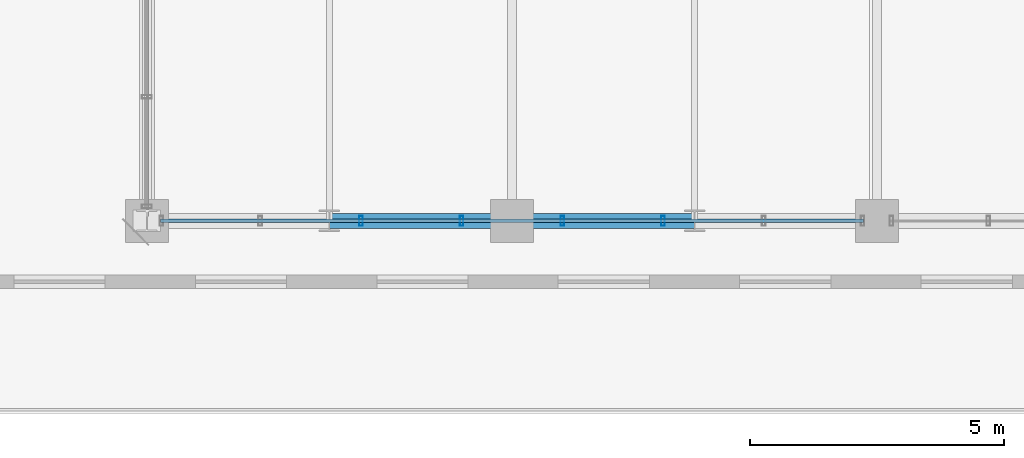
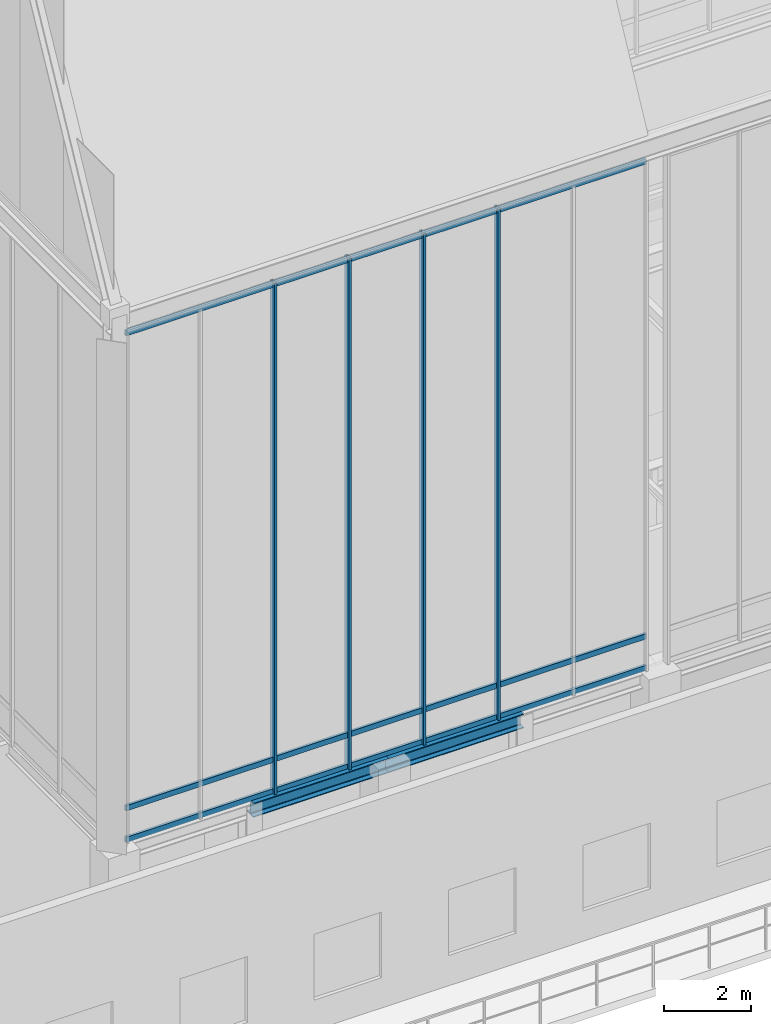
# One storey, part 11 of 49: 7 members, 2 beams, 1 element without a shape of its own.
"""IFC4 building model written with IfcOpenShell, lengths in metres."""

from ifc_helpers import new_model, si_unit, direction, frame, origin, origin_2d, place, context, subcontext, project, spatial, hollow_rectangle, i_section, extrude, source, transform, mapped, material, layer, layer_set, material_profile, profile_set, type_object, element, aggregate, save


model = new_model("IFC4")

# Units and contexts
model_context = context("Model", 3, precision=1e-05, world=origin(), true_north=direction((0.0, 1.0)))
body_context = subcontext(model_context, "Body", "Model", "MODEL_VIEW")
ifc_project = project(units=[si_unit("LENGTHUNIT", "METRE"), si_unit("AREAUNIT", "SQUARE_METRE"), si_unit("VOLUMEUNIT", "CUBIC_METRE"), si_unit("PLANEANGLEUNIT", "RADIAN"), si_unit("MASSUNIT", "GRAM", prefix="KILO")], contexts=[model_context])

# Site, building, storey
site_placement = place(None, origin())
site = spatial("IfcSite", under=ifc_project, at=site_placement, CompositionType="ELEMENT")
building_placement = place(site_placement, origin())
building = spatial("IfcBuilding", under=site, at=building_placement, Name="Kaliganga Portal Commons", CompositionType="ELEMENT")
storey_placement = place(building_placement, frame((0.0, 0.0, 298.0)))
storey = spatial("IfcBuildingStorey", under=building, at=storey_placement, Name="L77", CompositionType="ELEMENT", Elevation=298.0)

# Beams
ifc_material_1 = material(Name="Structural steel S355J2", Category="steel")
ifc_material_profile_1 = material_profile(ifc_material_1, i_section(OverallWidth=0.300048828125, OverallDepth=0.39990234375, WebThickness=0.013427734375, FlangeThickness=0.02392578125, FilletRadius=0.027099609375, at=origin_2d()), Name="HE 400 B")
ifc_profile_set_1 = profile_set([ifc_material_profile_1], Name="Structural steel S355J2 wide-flange")
beam_type = type_object("IfcBeamType", Name="BM-SPAND-400", PredefinedType="SPANDREL", material=ifc_profile_set_1)
shared_shape_1 = source(origin(), body_context, "Body", "SweptSolid", [
    extrude(i_section(OverallWidth=0.300048828125, OverallDepth=0.39990234375, WebThickness=0.013427734375, FlangeThickness=0.02392578125, FilletRadius=0.027099609375, at=origin_2d()), origin(), (0.0, 0.0, 1.0), 3.60009765625),
])
beam_1_placement = place(storey_placement, frame((18.0, 21.60009765625, 5.800048828125), z_axis=(1.0, 0.0, 0.0), x_axis=(0.0, 1.0, 0.0)))
element("IfcBeam", 1, at=beam_1_placement, inside=storey, type_object=beam_type, Name="BM SP L77 AS 2", PredefinedType="SPANDREL", context=body_context, shape_type="MappedRepresentation", body=[
    mapped(shared_shape_1, transform((0.0, 0.0, 0.0), x_axis=(1.0, 0.0, 0.0), y_axis=(0.0, 1.0, 0.0), z_axis=(0.0, 0.0, 1.0), scale=1.0)),
])
shared_shape_2 = source(origin(), body_context, "Body", "SweptSolid", [
    extrude(i_section(OverallWidth=0.300048828125, OverallDepth=0.39990234375, WebThickness=0.013427734375, FlangeThickness=0.02392578125, FilletRadius=0.027099609375, at=origin_2d()), origin(), (0.0, 0.0, 1.0), 3.599853515625),
])
beam_2_placement = place(storey_placement, frame((21.60009765625, 21.60009765625, 5.800048828125), z_axis=(1.0, 0.0, 0.0), x_axis=(0.0, 1.0, 0.0)))
element("IfcBeam", 2, at=beam_2_placement, inside=storey, type_object=beam_type, Name="BM SP L77 AS 3", PredefinedType="SPANDREL", context=body_context, shape_type="MappedRepresentation", body=[
    mapped(shared_shape_2, transform((0.0, 0.0, 0.0), x_axis=(1.0, 0.0, 0.0), y_axis=(0.0, 1.0, 0.0), z_axis=(0.0, 0.0, 1.0), scale=1.0)),
])

# Curtain wall, members
ifc_material_2 = material(Name="Anodized Aluminium and Laminated Low-E Glass", Category="aluminium")
ifc_layer = layer(ifc_material_2, 0.25)
ifc_layer_set = layer_set([ifc_layer], Name="Anodized Aluminium and Laminated Low-E Glass")
curtain_wall_type = type_object("IfcCurtainWallType", Name="CW-SYS-06", PredefinedType="NOTDEFINED", material=ifc_layer_set)
curtain_wall_placement = place(storey_placement, origin())
curtain_wall = element("IfcCurtainWall", 3, at=curtain_wall_placement, inside=storey, type_object=curtain_wall_type, Name="CW 06 L77 SW", PredefinedType="NOTDEFINED")
ifc_material_3 = material(Name="Dark Bronze Anodized Aluminium", Category="aluminium")
ifc_material_profile_2 = material_profile(ifc_material_3, hollow_rectangle(XDim=0.070068359375, YDim=0.199951171875, WallThickness=0.00390625, at=origin_2d()), Name="ALU MULL 70x200x4")
ifc_profile_set_2 = profile_set([ifc_material_profile_2], Name="Dark Bronze Anodized Aluminium")
member_type_1 = type_object("IfcMemberType", Name="CW-MUL-220", PredefinedType="MULLION", material=ifc_profile_set_2)
shared_shape_3 = source(origin(), body_context, "Body", "SweptSolid", [
    extrude(hollow_rectangle(XDim=0.070068359375, YDim=0.199951171875, WallThickness=0.00390625, at=origin_2d()), origin(), (0.0, 0.0, 1.0), 14.39990234375),
])
member_1_placement = place(storey_placement, frame((18.621337890625, 21.60009765625, 6.0), z_axis=(0.0, 0.0, 1.0), x_axis=(1.0, 0.0, 0.0)))
member_1 = element("IfcMember", 4, at=member_1_placement, type_object=member_type_1, Name="CW:06:L77:SW Mullion 02", PredefinedType="MULLION", context=body_context, shape_type="MappedRepresentation", body=[
    mapped(shared_shape_3, transform((0.0, 0.0, 0.0), x_axis=(1.0, 0.0, 0.0), y_axis=(0.0, 1.0, 0.0), z_axis=(0.0, 0.0, 1.0), scale=1.0)),
])
member_2_placement = place(storey_placement, frame((20.607177734375, 21.60009765625, 6.0), z_axis=(0.0, 0.0, 1.0), x_axis=(1.0, 0.0, 0.0)))
member_2 = element("IfcMember", 5, at=member_2_placement, type_object=member_type_1, Name="CW:06:L77:SW Mullion 03", PredefinedType="MULLION", context=body_context, shape_type="MappedRepresentation", body=[
    mapped(shared_shape_3, transform((0.0, 0.0, 0.0), x_axis=(1.0, 0.0, 0.0), y_axis=(0.0, 1.0, 0.0), z_axis=(0.0, 0.0, 1.0), scale=1.0)),
])
member_3_placement = place(storey_placement, frame((22.593017578125, 21.60009765625, 6.0), z_axis=(0.0, 0.0, 1.0), x_axis=(1.0, 0.0, 0.0)))
member_3 = element("IfcMember", 6, at=member_3_placement, type_object=member_type_1, Name="CW:06:L77:SW Mullion 04", PredefinedType="MULLION", context=body_context, shape_type="MappedRepresentation", body=[
    mapped(shared_shape_3, transform((0.0, 0.0, 0.0), x_axis=(1.0, 0.0, 0.0), y_axis=(0.0, 1.0, 0.0), z_axis=(0.0, 0.0, 1.0), scale=1.0)),
])
member_4_placement = place(storey_placement, frame((24.57861328125, 21.60009765625, 6.0), z_axis=(0.0, 0.0, 1.0), x_axis=(1.0, 0.0, 0.0)))
member_4 = element("IfcMember", 7, at=member_4_placement, type_object=member_type_1, Name="CW:06:L77:SW Mullion 05", PredefinedType="MULLION", context=body_context, shape_type="MappedRepresentation", body=[
    mapped(shared_shape_3, transform((0.0, 0.0, 0.0), x_axis=(1.0, 0.0, 0.0), y_axis=(0.0, 1.0, 0.0), z_axis=(0.0, 0.0, 1.0), scale=1.0)),
])
ifc_material_profile_3 = material_profile(ifc_material_3, hollow_rectangle(XDim=0.070068359375, YDim=0.14990234375, WallThickness=0.00341796875, at=origin_2d()), Name="ALU TRAN 70x150x3.5")
ifc_profile_set_3 = profile_set([ifc_material_profile_3], Name="Dark Bronze Anodized Aluminium")
member_type_2 = type_object("IfcMemberType", Name="CW-TRN-150", PredefinedType="USERDEFINED", material=ifc_profile_set_3)
shared_shape_4 = source(origin(), body_context, "Body", "SweptSolid", [
    extrude(hollow_rectangle(XDim=0.070068359375, YDim=0.14990234375, WallThickness=0.00341796875, at=origin_2d()), origin(), (0.0, 0.0, 1.0), 13.860107421875),
])
member_5_placement = place(storey_placement, frame((14.669921875, 21.60009765625, 6.06005859375), z_axis=(1.0, 0.0, 0.0), x_axis=(0.0, 1.0, 0.0)))
member_5 = element("IfcMember", 8, at=member_5_placement, type_object=member_type_2, Name="CW:06:L77:SW Transom 1", ObjectType="TRANSOM", PredefinedType="USERDEFINED", context=body_context, shape_type="MappedRepresentation", body=[
    mapped(shared_shape_4, transform((0.0, 0.0, 0.0), x_axis=(1.0, 0.0, 0.0), y_axis=(0.0, 1.0, 0.0), z_axis=(0.0, 0.0, 1.0), scale=1.0)),
])
member_6_placement = place(storey_placement, frame((14.669921875, 21.60009765625, 6.949951171875), z_axis=(1.0, 0.0, 0.0), x_axis=(0.0, 1.0, 0.0)))
member_6 = element("IfcMember", 9, at=member_6_placement, type_object=member_type_2, Name="CW:06:L77:SW Transom 2", ObjectType="TRANSOM", PredefinedType="USERDEFINED", context=body_context, shape_type="MappedRepresentation", body=[
    mapped(shared_shape_4, transform((0.0, 0.0, 0.0), x_axis=(1.0, 0.0, 0.0), y_axis=(0.0, 1.0, 0.0), z_axis=(0.0, 0.0, 1.0), scale=1.0)),
])
member_7_placement = place(storey_placement, frame((14.669921875, 21.60009765625, 20.320068359375), z_axis=(1.0, 0.0, 0.0), x_axis=(0.0, 1.0, 0.0)))
member_7 = element("IfcMember", 10, at=member_7_placement, type_object=member_type_2, Name="CW:06:L77:SW Transom 3", ObjectType="TRANSOM", PredefinedType="USERDEFINED", context=body_context, shape_type="MappedRepresentation", body=[
    mapped(shared_shape_4, transform((0.0, 0.0, 0.0), x_axis=(1.0, 0.0, 0.0), y_axis=(0.0, 1.0, 0.0), z_axis=(0.0, 0.0, 1.0), scale=1.0)),
])
aggregate(curtain_wall, [member_1, member_2, member_3, member_4, member_5, member_6, member_7])

save(model, "model.ifc")
